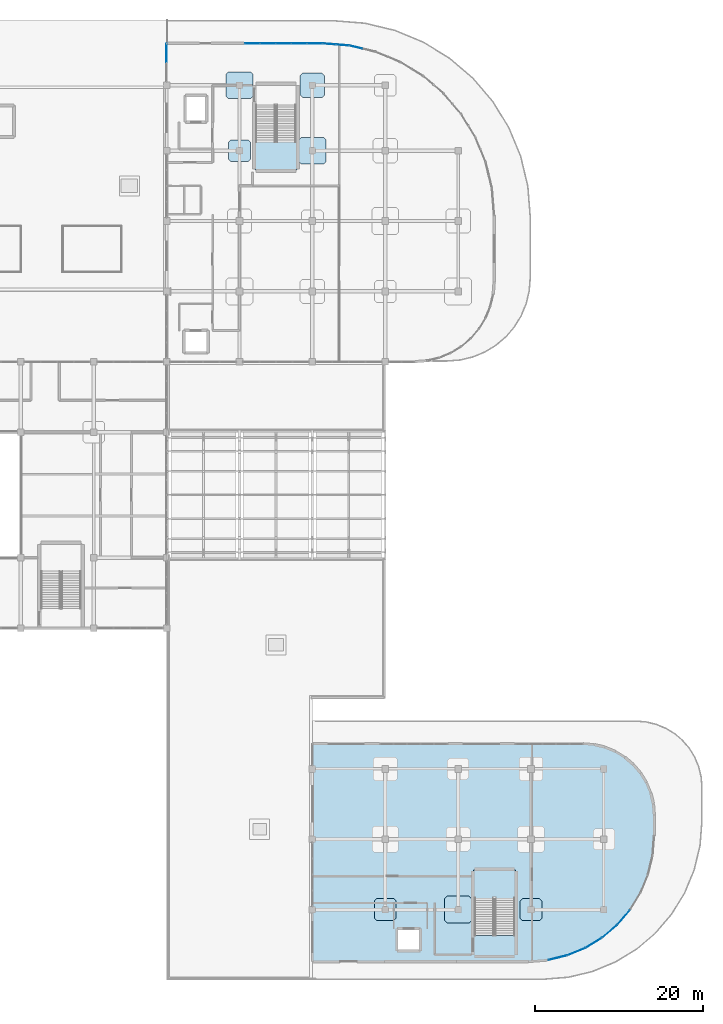
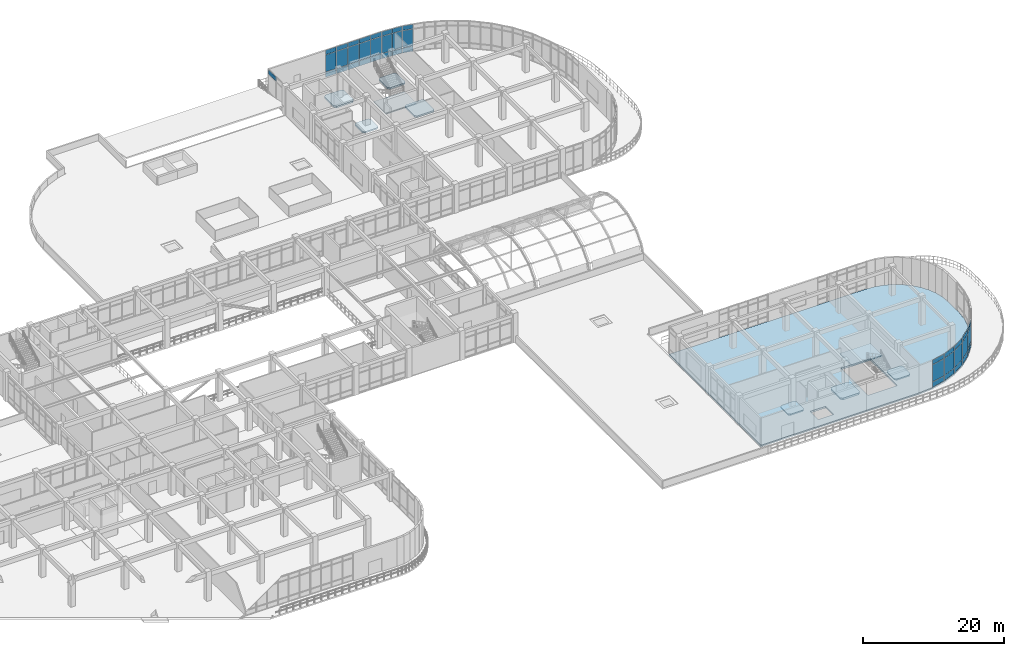
# One storey, part 100 of 124: 40 plates, 10 slabs, 11 elements without a shape of their own.
"""IFC4 building model written with IfcOpenShell, lengths in metres."""

from ifc_helpers import new_model, si_unit, derived_unit, direction, frame, origin, origin_2d, place, context, subcontext, project, spatial, polyline, rectangle, outline, extrude, material, layer, layer_set, type_object, element, aggregate, save


model = new_model("IFC4")

# Units and contexts
model_context = context("Model", 3, precision=1e-05, world=origin(), true_north=direction((0.0, 1.0)))
body_context = subcontext(model_context, "Body", "Model", "MODEL_VIEW")
ifc_project = project(units=[si_unit("LENGTHUNIT", "METRE"), si_unit("AREAUNIT", "SQUARE_METRE"), si_unit("VOLUMEUNIT", "CUBIC_METRE"), si_unit("PLANEANGLEUNIT", "RADIAN"), si_unit("MASSUNIT", "GRAM", prefix="KILO"), derived_unit("THERMALTRANSMITTANCEUNIT", [(si_unit("MASSUNIT", "GRAM", prefix="KILO"), 1), (si_unit("TIMEUNIT", "SECOND"), -3), (si_unit("THERMODYNAMICTEMPERATUREUNIT", "KELVIN"), -1)])], contexts=[model_context])

# Site, building, storey
site_placement = place(None, origin())
site = spatial("IfcSite", under=ifc_project, at=site_placement, CompositionType="ELEMENT")
building_placement = place(site_placement, origin())
building = spatial("IfcBuilding", under=site, at=building_placement, Name="Qinzheling Arcade Emporium", CompositionType="ELEMENT")
storey_placement = place(building_placement, frame((0.0, 0.0, 16.5)))
storey = spatial("IfcBuildingStorey", under=building, at=storey_placement, Name="L04", CompositionType="ELEMENT", Elevation=16.5)

# Slabs
ifc_material_1 = material(Name="Concrete C40", Category="concrete")
ifc_layer_1 = layer(ifc_material_1, 0.235107421875, Name="Concrete C40", Category="concrete")
ifc_layer_set_1 = layer_set([ifc_layer_1], Name="Concrete C40")
slab_type_1 = type_object("IfcSlabType", Name="Column Head Drop Panel 2600x2600x235 C40", PredefinedType="USERDEFINED", material=ifc_layer_set_1)
slab_1_placement = place(storey_placement, frame((0.0, 0.0, -0.5)))
element("IfcSlab", 1, at=slab_1_placement, inside=storey, type_object=slab_type_1, Name="Column Drop Panel DP-L04-14-M", ObjectType="DROP_PANEL", PredefinedType="USERDEFINED", context=body_context, shape_type="SweptSolid", body=[
    extrude(outline(polyline([(112.080078125, 97.699951171875), (114.1201171875, 97.699951171875), (114.39990234375, 97.97998046875), (114.39990234375, 100.02001953125), (114.1201171875, 100.300048828125), (112.080078125, 100.300048828125), (111.800048828125, 100.02001953125), (111.800048828125, 97.97998046875), (112.080078125, 97.699951171875)])), origin(), (0.0, 0.0, 1.0), 0.235107421875),
])
slab_2_placement = place(storey_placement, frame((0.0, 0.0, -0.530029296875)))
element("IfcSlab", 2, at=slab_2_placement, inside=storey, type_object=slab_type_1, Name="Column Drop Panel DP-L04-16-B", ObjectType="DROP_PANEL", PredefinedType="USERDEFINED", context=body_context, shape_type="SweptSolid", body=[
    extrude(outline(polyline([(129.47998046875, 7.10009765625), (131.52001953125, 7.10009765625), (131.800048828125, 7.3798828125), (131.800048828125, 9.419921875), (131.52001953125, 9.699951171875), (129.47998046875, 9.699951171875), (129.199951171875, 9.419921875), (129.199951171875, 7.3798828125), (129.47998046875, 7.10009765625)])), origin(), (0.0, 0.0, 1.0), 0.235107421875),
])
slab_3_placement = place(storey_placement, frame((0.0, 0.0, -0.530029296875)))
element("IfcSlab", 3, at=slab_3_placement, inside=storey, type_object=slab_type_1, Name="Column Drop Panel DP-L04-18-B", ObjectType="DROP_PANEL", PredefinedType="USERDEFINED", context=body_context, shape_type="SweptSolid", body=[
    extrude(outline(polyline([(146.8798828125, 7.10009765625), (148.919921875, 7.10009765625), (149.199951171875, 7.3798828125), (149.199951171875, 9.419921875), (148.919921875, 9.699951171875), (146.8798828125, 9.699951171875), (146.60009765625, 9.419921875), (146.60009765625, 7.3798828125), (146.8798828125, 7.10009765625)])), origin(), (0.0, 0.0, 1.0), 0.235107421875),
])
ifc_layer_2 = layer(ifc_material_1, 0.27001953125, Name="Concrete C40", Category="concrete")
ifc_layer_set_2 = layer_set([ifc_layer_2], Name="Concrete C40")
slab_type_2 = type_object("IfcSlabType", Name="Column Head Drop Panel 2900x2900x270 C40", PredefinedType="USERDEFINED", material=ifc_layer_set_2)
slab_4_placement = place(storey_placement, frame((0.0, 0.0, -0.534912109375)))
element("IfcSlab", 4, at=slab_4_placement, inside=storey, type_object=slab_type_2, Name="Column Drop Panel DP-L04-15-N", ObjectType="DROP_PANEL", PredefinedType="USERDEFINED", context=body_context, shape_type="SweptSolid", body=[
    extrude(outline(polyline([(120.6298828125, 105.35009765625), (122.969970703125, 105.35009765625), (123.25, 105.6298828125), (123.25, 107.969970703125), (122.969970703125, 108.25), (120.6298828125, 108.25), (120.35009765625, 107.969970703125), (120.35009765625, 105.6298828125), (120.6298828125, 105.35009765625)])), origin(), (0.0, 0.0, 1.0), 0.27001953125),
])
ifc_layer_3 = layer(ifc_material_1, 0.300048828125, Name="Concrete C40", Category="concrete")
ifc_layer_set_3 = layer_set([ifc_layer_3], Name="Concrete C40")
slab_type_3 = type_object("IfcSlabType", Name="Column Head Drop Panel 3200x3200x300 C40", PredefinedType="USERDEFINED", material=ifc_layer_set_3)
slab_5_placement = place(storey_placement, frame((0.0, 0.0, -0.56494140625)))
element("IfcSlab", 5, at=slab_5_placement, inside=storey, type_object=slab_type_3, Name="Column Drop Panel DP-L04-14-N", ObjectType="DROP_PANEL", PredefinedType="USERDEFINED", context=body_context, shape_type="SweptSolid", body=[
    extrude(outline(polyline([(111.780029296875, 105.199951171875), (114.419921875, 105.199951171875), (114.699951171875, 105.47998046875), (114.699951171875, 108.1201171875), (114.419921875, 108.39990234375), (111.780029296875, 108.39990234375), (111.5, 108.1201171875), (111.5, 105.47998046875), (111.780029296875, 105.199951171875)])), origin(), (0.0, 0.0, 1.0), 0.300048828125),
])
slab_6_placement = place(storey_placement, frame((0.0, 0.0, -0.56494140625)))
element("IfcSlab", 6, at=slab_6_placement, inside=storey, type_object=slab_type_3, Name="Column Drop Panel DP-L04-15-M", ObjectType="DROP_PANEL", PredefinedType="USERDEFINED", context=body_context, shape_type="SweptSolid", body=[
    extrude(outline(polyline([(120.47998046875, 97.39990234375), (123.1201171875, 97.39990234375), (123.39990234375, 97.679931640625), (123.39990234375, 100.320068359375), (123.1201171875, 100.60009765625), (120.47998046875, 100.60009765625), (120.199951171875, 100.320068359375), (120.199951171875, 97.679931640625), (120.47998046875, 97.39990234375)])), origin(), (0.0, 0.0, 1.0), 0.300048828125),
])
slab_7_placement = place(storey_placement, frame((0.0, 0.0, -0.594970703125)))
element("IfcSlab", 7, at=slab_7_placement, inside=storey, type_object=slab_type_3, Name="Column Drop Panel DP-L04-17-B", ObjectType="DROP_PANEL", PredefinedType="USERDEFINED", context=body_context, shape_type="SweptSolid", body=[
    extrude(outline(polyline([(137.8798828125, 6.800048828125), (140.52001953125, 6.800048828125), (140.800048828125, 7.080078125), (140.800048828125, 9.719970703125), (140.52001953125, 10.0), (137.8798828125, 10.0), (137.60009765625, 9.719970703125), (137.60009765625, 7.080078125), (137.8798828125, 6.800048828125)])), origin(), (0.0, 0.0, 1.0), 0.300048828125),
])
ifc_layer_4 = layer(ifc_material_1, 0.294921875, Name="Concrete C40", Category="concrete")
ifc_layer_set_4 = layer_set([ifc_layer_4], Name="Concrete C40")
slab_type_4 = type_object("IfcSlabType", Name="Food Hall Acoustic Flat Slab 295 C40", PredefinedType="FLOOR", material=ifc_layer_set_4)
slab_8_placement = place(storey_placement, frame((0.0, 0.0, -0.294921875)))
element("IfcSlab", 8, at=slab_8_placement, inside=storey, type_object=slab_type_4, Name="Floor Slab SLB-L04-V4", PredefinedType="FLOOR", context=body_context, shape_type="SweptSolid", body=[
    extrude(outline(polyline([(121.800048828125, 28.199951171875), (121.800048828125, 2.199951171875), (147.60009765625, 2.199951171875), (149.947021484375, 2.385009765625), (152.235107421875, 2.93408203125), (154.409912109375, 3.8349609375), (156.4169921875, 5.06494140625), (158.20703125, 6.593017578125), (159.735107421875, 8.383056640625), (160.965087890625, 10.389892578125), (161.865966796875, 12.56494140625), (162.4150390625, 14.85302734375), (162.60009765625, 17.199951171875), (162.60009765625, 19.699951171875), (162.4951171875, 21.030029296875), (162.18408203125, 22.326904296875), (161.674072265625, 23.55908203125), (160.97705078125, 24.696044921875), (160.110107421875, 25.7099609375), (159.095947265625, 26.576904296875), (157.958984375, 27.27392578125), (156.72705078125, 27.783935546875), (155.429931640625, 28.094970703125), (154.10009765625, 28.199951171875), (121.800048828125, 28.199951171875)]), holes=[polyline([(145.945068359375, 5.324951171875), (141.155029296875, 5.324951171875), (141.155029296875, 13.0), (145.945068359375, 13.0), (145.945068359375, 5.324951171875)]), polyline([(134.550048828125, 3.64990234375), (132.050048828125, 3.64990234375), (132.050048828125, 5.949951171875), (134.550048828125, 5.949951171875), (134.550048828125, 3.64990234375)])]), origin(), (0.0, 0.0, 1.0), 0.294921875),
])

# Curtain wall, plates
ifc_material_2 = material(Name="Anodised aluminium and solar-control double glazing", Category="aluminium")
ifc_layer_5 = layer(ifc_material_2, 0.159912109375, Name="Anodised aluminium and solar-control double glazing", Category="aluminium")
ifc_layer_set_5 = layer_set([ifc_layer_5], Name="Anodised aluminium and solar-control double glazing")
curtain_wall_type_1 = type_object("IfcCurtainWallType", Name="Curved Ribbon Sales Curtain Wall", PredefinedType="NOTDEFINED", material=ifc_layer_set_5)
curtain_wall_1_placement = place(storey_placement, origin())
curtain_wall_1 = element("IfcCurtainWall", 9, at=curtain_wall_1_placement, inside=storey, type_object=curtain_wall_type_1, Name="Curtain Wall CW-L04-212", PredefinedType="NOTDEFINED")
ifc_material_3 = material(Name="Laminated solar-control double glazing", Category="glass")
ifc_layer_6 = layer(ifc_material_3, 0.029052734375, Name="Laminated solar-control double glazing", Category="glass")
ifc_layer_set_6 = layer_set([ifc_layer_6], Name="Laminated solar-control double glazing")
plate_type_1 = type_object("IfcPlateType", Name="Low-E Double Glazed Curtain Panel 29mm", PredefinedType="CURTAIN_PANEL", material=ifc_layer_set_6)
plate_1_placement = place(storey_placement, frame((158.970947265625, 7.488037109375, 0.06005859375), z_axis=(0.0, 0.0, 1.0), x_axis=(-0.649250390185, -0.760574737185, 0.0)))
plate_1 = element("IfcPlate", 10, at=plate_1_placement, type_object=plate_type_1, Name="CW02 panel 1.1", PredefinedType="CURTAIN_PANEL", context=body_context, shape_type="SweptSolid", body=[
    extrude(rectangle(XDim=2.2333984375, YDim=0.029052734375, at=origin_2d()), origin(), (0.0, 0.0, 1.0), 0.860107421875),
])
plate_2_placement = place(storey_placement, frame((158.970947265625, 7.488037109375, 0.97998046875), z_axis=(0.0, 0.0, 1.0), x_axis=(-0.649250390185, -0.760574737185, 0.0)))
plate_2 = element("IfcPlate", 11, at=plate_2_placement, type_object=plate_type_1, Name="CW02 panel 1.2", PredefinedType="CURTAIN_PANEL", context=body_context, shape_type="SweptSolid", body=[
    extrude(rectangle(XDim=2.2333984375, YDim=0.029052734375, at=origin_2d()), origin(), (0.0, 0.0, 1.0), 2.929931640625),
])
plate_3_placement = place(storey_placement, frame((158.970947265625, 7.488037109375, 3.97021484375), z_axis=(0.0, 0.0, 1.0), x_axis=(-0.649250390185, -0.760574737185, 0.0)))
plate_3 = element("IfcPlate", 12, at=plate_3_placement, type_object=plate_type_1, Name="CW02 panel 1.3", PredefinedType="CURTAIN_PANEL", context=body_context, shape_type="SweptSolid", body=[
    extrude(rectangle(XDim=2.2333984375, YDim=0.029052734375, at=origin_2d()), origin(), (0.0, 0.0, 1.0), 0.760009765625),
])
aggregate(curtain_wall_1, [plate_1, plate_2, plate_3])

curtain_wall_2_placement = place(storey_placement, origin())
curtain_wall_2 = element("IfcCurtainWall", 13, at=curtain_wall_2_placement, inside=storey, type_object=curtain_wall_type_1, Name="Curtain Wall CW-L04-213", PredefinedType="NOTDEFINED")
ifc_layer_7 = layer(ifc_material_3, 0.030029296875, Name="Laminated solar-control double glazing", Category="glass")
ifc_layer_set_7 = layer_set([ifc_layer_7], Name="Laminated solar-control double glazing")
plate_type_2 = type_object("IfcPlateType", Name="Low-E Double Glazed Curtain Panel 30mm", PredefinedType="CURTAIN_PANEL", material=ifc_layer_set_7)
plate_4_placement = place(storey_placement, frame((157.31201171875, 5.8291015625, 0.06005859375), z_axis=(0.0, 0.0, 1.0), x_axis=(-0.760574737185, -0.649250390185, 0.0)))
plate_4 = element("IfcPlate", 14, at=plate_4_placement, type_object=plate_type_2, Name="CW02 panel 1.1", PredefinedType="CURTAIN_PANEL", context=body_context, shape_type="SweptSolid", body=[
    extrude(rectangle(XDim=2.2333984375, YDim=0.030029296875, at=origin_2d()), origin(), (0.0, 0.0, 1.0), 0.860107421875),
])
plate_5_placement = place(storey_placement, frame((157.31201171875, 5.8291015625, 0.97998046875), z_axis=(0.0, 0.0, 1.0), x_axis=(-0.760574737185, -0.649250390185, 0.0)))
plate_5 = element("IfcPlate", 15, at=plate_5_placement, type_object=plate_type_2, Name="CW02 panel 1.2", PredefinedType="CURTAIN_PANEL", context=body_context, shape_type="SweptSolid", body=[
    extrude(rectangle(XDim=2.2333984375, YDim=0.030029296875, at=origin_2d()), origin(), (0.0, 0.0, 1.0), 2.929931640625),
])
plate_6_placement = place(storey_placement, frame((157.31201171875, 5.8291015625, 3.97021484375), z_axis=(0.0, 0.0, 1.0), x_axis=(-0.760574737185, -0.649250390185, 0.0)))
plate_6 = element("IfcPlate", 16, at=plate_6_placement, type_object=plate_type_2, Name="CW02 panel 1.3", PredefinedType="CURTAIN_PANEL", context=body_context, shape_type="SweptSolid", body=[
    extrude(rectangle(XDim=2.2333984375, YDim=0.030029296875, at=origin_2d()), origin(), (0.0, 0.0, 1.0), 0.760009765625),
])
aggregate(curtain_wall_2, [plate_4, plate_5, plate_6])

curtain_wall_3_placement = place(storey_placement, origin())
curtain_wall_3 = element("IfcCurtainWall", 17, at=curtain_wall_3_placement, inside=storey, type_object=curtain_wall_type_1, Name="Curtain Wall CW-L04-214", PredefinedType="NOTDEFINED")
ifc_layer_8 = layer(ifc_material_3, 0.031005859375, Name="Laminated solar-control double glazing", Category="glass")
ifc_layer_set_8 = layer_set([ifc_layer_8], Name="Laminated solar-control double glazing")
plate_type_3 = type_object("IfcPlateType", Name="Low-E Double Glazed Curtain Panel 31mm", PredefinedType="CURTAIN_PANEL", material=ifc_layer_set_8)
plate_7_placement = place(storey_placement, frame((155.41357421875, 4.449951171875, 0.06005859375), z_axis=(0.0, 0.0, 1.0), x_axis=(-0.852619568756, -0.522532172191, 0.0)))
plate_7 = element("IfcPlate", 18, at=plate_7_placement, type_object=plate_type_3, Name="CW02 panel 1.1", PredefinedType="CURTAIN_PANEL", context=body_context, shape_type="SweptSolid", body=[
    extrude(rectangle(XDim=2.23388671875, YDim=0.031005859375, at=origin_2d()), origin(), (0.0, 0.0, 1.0), 0.860107421875),
])
plate_8_placement = place(storey_placement, frame((155.41357421875, 4.449951171875, 0.97998046875), z_axis=(0.0, 0.0, 1.0), x_axis=(-0.852619568756, -0.522532172191, 0.0)))
plate_8 = element("IfcPlate", 19, at=plate_8_placement, type_object=plate_type_3, Name="CW02 panel 1.2", PredefinedType="CURTAIN_PANEL", context=body_context, shape_type="SweptSolid", body=[
    extrude(rectangle(XDim=2.23388671875, YDim=0.031005859375, at=origin_2d()), origin(), (0.0, 0.0, 1.0), 2.929931640625),
])
plate_9_placement = place(storey_placement, frame((155.41357421875, 4.449951171875, 3.97021484375), z_axis=(0.0, 0.0, 1.0), x_axis=(-0.852619568756, -0.522532172191, 0.0)))
plate_9 = element("IfcPlate", 20, at=plate_9_placement, type_object=plate_type_3, Name="CW02 panel 1.3", PredefinedType="CURTAIN_PANEL", context=body_context, shape_type="SweptSolid", body=[
    extrude(rectangle(XDim=2.23388671875, YDim=0.031005859375, at=origin_2d()), origin(), (0.0, 0.0, 1.0), 0.760009765625),
])
aggregate(curtain_wall_3, [plate_7, plate_8, plate_9])

# Curtain wall, plate
ifc_layer_9 = layer(ifc_material_2, 0.159912109375, Name="Anodised aluminium and solar-control double glazing", Category="aluminium")
ifc_layer_set_9 = layer_set([ifc_layer_9], Name="Anodised aluminium and solar-control double glazing")
curtain_wall_type_2 = type_object("IfcCurtainWallType", Name="Arcade Portal Glazed Curtain Wall", PredefinedType="NOTDEFINED", material=ifc_layer_set_9)
curtain_wall_4_placement = place(storey_placement, origin())
curtain_wall_4 = element("IfcCurtainWall", 21, at=curtain_wall_4_placement, inside=storey, type_object=curtain_wall_type_2, Name="Curtain Wall CW-L04-262", PredefinedType="NOTDEFINED")
plate_10_placement = place(storey_placement, frame((104.39990234375, 110.635498046875, 3.97021484375), z_axis=(0.0, 0.0, 1.0), x_axis=(0.0, 1.0, 0.0)))
plate_10 = element("IfcPlate", 22, at=plate_10_placement, type_object=plate_type_3, Name="CW05 panel 2.3", PredefinedType="CURTAIN_PANEL", context=body_context, shape_type="SweptSolid", body=[
    extrude(rectangle(XDim=2.208984375, YDim=0.031005859375, at=origin_2d()), origin(), (0.0, 0.0, 1.0), 0.760009765625),
])
aggregate(curtain_wall_4, [plate_10])

# Curtain wall, plates
curtain_wall_5_placement = place(storey_placement, origin())
curtain_wall_5 = element("IfcCurtainWall", 23, at=curtain_wall_5_placement, inside=storey, type_object=curtain_wall_type_1, Name="Curtain Wall CW-L04-215", PredefinedType="NOTDEFINED")
ifc_layer_10 = layer(ifc_material_3, 0.031982421875, Name="Laminated solar-control double glazing", Category="glass")
ifc_layer_set_10 = layer_set([ifc_layer_10], Name="Laminated solar-control double glazing")
plate_type_4 = type_object("IfcPlateType", Name="Low-E Double Glazed Curtain Panel 32mm", PredefinedType="CURTAIN_PANEL", material=ifc_layer_set_10)
plate_11_placement = place(storey_placement, frame((153.322509765625, 3.384521484375, 0.06005859375), z_axis=(0.0, 0.0, 1.0), x_axis=(-0.923866691535, -0.382714431752, 0.0)))
plate_11 = element("IfcPlate", 24, at=plate_11_placement, type_object=plate_type_4, Name="CW02 panel 1.1", PredefinedType="CURTAIN_PANEL", context=body_context, shape_type="SweptSolid", body=[
    extrude(rectangle(XDim=2.234130859375, YDim=0.031982421875, at=origin_2d()), origin(), (0.0, 0.0, 1.0), 0.860107421875),
])
plate_12_placement = place(storey_placement, frame((153.322509765625, 3.384521484375, 0.97998046875), z_axis=(0.0, 0.0, 1.0), x_axis=(-0.923866691535, -0.382714431752, 0.0)))
plate_12 = element("IfcPlate", 25, at=plate_12_placement, type_object=plate_type_4, Name="CW02 panel 1.2", PredefinedType="CURTAIN_PANEL", context=body_context, shape_type="SweptSolid", body=[
    extrude(rectangle(XDim=2.234130859375, YDim=0.031982421875, at=origin_2d()), origin(), (0.0, 0.0, 1.0), 2.929931640625),
])
plate_13_placement = place(storey_placement, frame((153.322509765625, 3.384521484375, 3.97021484375), z_axis=(0.0, 0.0, 1.0), x_axis=(-0.923866691535, -0.382714431752, 0.0)))
plate_13 = element("IfcPlate", 26, at=plate_13_placement, type_object=plate_type_4, Name="CW02 panel 1.3", PredefinedType="CURTAIN_PANEL", context=body_context, shape_type="SweptSolid", body=[
    extrude(rectangle(XDim=2.234130859375, YDim=0.031982421875, at=origin_2d()), origin(), (0.0, 0.0, 1.0), 0.760009765625),
])
aggregate(curtain_wall_5, [plate_11, plate_12, plate_13])

curtain_wall_6_placement = place(storey_placement, origin())
curtain_wall_6 = element("IfcCurtainWall", 27, at=curtain_wall_6_placement, inside=storey, type_object=curtain_wall_type_2, Name="Curtain Wall CW-L04-263", PredefinedType="NOTDEFINED")
plate_14_placement = place(storey_placement, frame((114.646728515625, 111.800048828125, 0.06005859375), z_axis=(0.0, 0.0, 1.0), x_axis=(1.0, 0.0, 0.0)))
plate_14 = element("IfcPlate", 28, at=plate_14_placement, type_object=plate_type_4, Name="CW05 panel 1.1", PredefinedType="CURTAIN_PANEL", context=body_context, shape_type="SweptSolid", body=[
    extrude(rectangle(XDim=1.76953125, YDim=0.031982421875, at=origin_2d()), origin(), (0.0, 0.0, 1.0), 0.860107421875),
])
plate_15_placement = place(storey_placement, frame((114.646728515625, 111.800048828125, 0.97998046875), z_axis=(0.0, 0.0, 1.0), x_axis=(1.0, 0.0, 0.0)))
plate_15 = element("IfcPlate", 29, at=plate_15_placement, type_object=plate_type_4, Name="CW05 panel 1.2", PredefinedType="CURTAIN_PANEL", context=body_context, shape_type="SweptSolid", body=[
    extrude(rectangle(XDim=1.76953125, YDim=0.031982421875, at=origin_2d()), origin(), (0.0, 0.0, 1.0), 2.929931640625),
])
plate_16_placement = place(storey_placement, frame((114.646728515625, 111.800048828125, 3.97021484375), z_axis=(0.0, 0.0, 1.0), x_axis=(1.0, 0.0, 0.0)))
plate_16 = element("IfcPlate", 30, at=plate_16_placement, type_object=plate_type_4, Name="CW05 panel 1.3", PredefinedType="CURTAIN_PANEL", context=body_context, shape_type="SweptSolid", body=[
    extrude(rectangle(XDim=1.76953125, YDim=0.031982421875, at=origin_2d()), origin(), (0.0, 0.0, 1.0), 0.760009765625),
])
plate_17_placement = place(storey_placement, frame((116.491455078125, 111.800048828125, 0.06005859375), z_axis=(0.0, 0.0, 1.0), x_axis=(1.0, 0.0, 0.0)))
plate_17 = element("IfcPlate", 31, at=plate_17_placement, type_object=plate_type_4, Name="CW05 panel 2.1", PredefinedType="CURTAIN_PANEL", context=body_context, shape_type="SweptSolid", body=[
    extrude(rectangle(XDim=1.799560546875, YDim=0.031982421875, at=origin_2d()), origin(), (0.0, 0.0, 1.0), 0.860107421875),
])
plate_18_placement = place(storey_placement, frame((116.491455078125, 111.800048828125, 0.97998046875), z_axis=(0.0, 0.0, 1.0), x_axis=(1.0, 0.0, 0.0)))
plate_18 = element("IfcPlate", 32, at=plate_18_placement, type_object=plate_type_4, Name="CW05 panel 2.2", PredefinedType="CURTAIN_PANEL", context=body_context, shape_type="SweptSolid", body=[
    extrude(rectangle(XDim=1.799560546875, YDim=0.031982421875, at=origin_2d()), origin(), (0.0, 0.0, 1.0), 2.929931640625),
])
plate_19_placement = place(storey_placement, frame((116.491455078125, 111.800048828125, 3.97021484375), z_axis=(0.0, 0.0, 1.0), x_axis=(1.0, 0.0, 0.0)))
plate_19 = element("IfcPlate", 33, at=plate_19_placement, type_object=plate_type_4, Name="CW05 panel 2.3", PredefinedType="CURTAIN_PANEL", context=body_context, shape_type="SweptSolid", body=[
    extrude(rectangle(XDim=1.799560546875, YDim=0.031982421875, at=origin_2d()), origin(), (0.0, 0.0, 1.0), 0.760009765625),
])
plate_20_placement = place(storey_placement, frame((118.35107421875, 111.800048828125, 0.06005859375), z_axis=(0.0, 0.0, 1.0), x_axis=(1.0, 0.0, 0.0)))
plate_20 = element("IfcPlate", 34, at=plate_20_placement, type_object=plate_type_4, Name="CW05 panel 3.1", PredefinedType="CURTAIN_PANEL", context=body_context, shape_type="SweptSolid", body=[
    extrude(rectangle(XDim=1.799560546875, YDim=0.031982421875, at=origin_2d()), origin(), (0.0, 0.0, 1.0), 0.860107421875),
])
plate_21_placement = place(storey_placement, frame((118.35107421875, 111.800048828125, 0.97998046875), z_axis=(0.0, 0.0, 1.0), x_axis=(1.0, 0.0, 0.0)))
plate_21 = element("IfcPlate", 35, at=plate_21_placement, type_object=plate_type_4, Name="CW05 panel 3.2", PredefinedType="CURTAIN_PANEL", context=body_context, shape_type="SweptSolid", body=[
    extrude(rectangle(XDim=1.799560546875, YDim=0.031982421875, at=origin_2d()), origin(), (0.0, 0.0, 1.0), 2.929931640625),
])
plate_22_placement = place(storey_placement, frame((118.35107421875, 111.800048828125, 3.97021484375), z_axis=(0.0, 0.0, 1.0), x_axis=(1.0, 0.0, 0.0)))
plate_22 = element("IfcPlate", 36, at=plate_22_placement, type_object=plate_type_4, Name="CW05 panel 3.3", PredefinedType="CURTAIN_PANEL", context=body_context, shape_type="SweptSolid", body=[
    extrude(rectangle(XDim=1.799560546875, YDim=0.031982421875, at=origin_2d()), origin(), (0.0, 0.0, 1.0), 0.760009765625),
])
plate_23_placement = place(storey_placement, frame((120.210693359375, 111.800048828125, 0.06005859375), z_axis=(0.0, 0.0, 1.0), x_axis=(1.0, 0.0, 0.0)))
plate_23 = element("IfcPlate", 37, at=plate_23_placement, type_object=plate_type_4, Name="CW05 panel 4.1", PredefinedType="CURTAIN_PANEL", context=body_context, shape_type="SweptSolid", body=[
    extrude(rectangle(XDim=1.799560546875, YDim=0.031982421875, at=origin_2d()), origin(), (0.0, 0.0, 1.0), 0.860107421875),
])
plate_24_placement = place(storey_placement, frame((120.210693359375, 111.800048828125, 0.97998046875), z_axis=(0.0, 0.0, 1.0), x_axis=(1.0, 0.0, 0.0)))
plate_24 = element("IfcPlate", 38, at=plate_24_placement, type_object=plate_type_4, Name="CW05 panel 4.2", PredefinedType="CURTAIN_PANEL", context=body_context, shape_type="SweptSolid", body=[
    extrude(rectangle(XDim=1.799560546875, YDim=0.031982421875, at=origin_2d()), origin(), (0.0, 0.0, 1.0), 2.929931640625),
])
plate_25_placement = place(storey_placement, frame((120.210693359375, 111.800048828125, 3.97021484375), z_axis=(0.0, 0.0, 1.0), x_axis=(1.0, 0.0, 0.0)))
plate_25 = element("IfcPlate", 39, at=plate_25_placement, type_object=plate_type_4, Name="CW05 panel 4.3", PredefinedType="CURTAIN_PANEL", context=body_context, shape_type="SweptSolid", body=[
    extrude(rectangle(XDim=1.799560546875, YDim=0.031982421875, at=origin_2d()), origin(), (0.0, 0.0, 1.0), 0.760009765625),
])
plate_26_placement = place(storey_placement, frame((122.05517578125, 111.800048828125, 0.06005859375), z_axis=(0.0, 0.0, 1.0), x_axis=(1.0, 0.0, 0.0)))
plate_26 = element("IfcPlate", 40, at=plate_26_placement, type_object=plate_type_4, Name="CW05 panel 5.1", PredefinedType="CURTAIN_PANEL", context=body_context, shape_type="SweptSolid", body=[
    extrude(rectangle(XDim=1.76953125, YDim=0.031982421875, at=origin_2d()), origin(), (0.0, 0.0, 1.0), 0.860107421875),
])
plate_27_placement = place(storey_placement, frame((122.05517578125, 111.800048828125, 0.97998046875), z_axis=(0.0, 0.0, 1.0), x_axis=(1.0, 0.0, 0.0)))
plate_27 = element("IfcPlate", 41, at=plate_27_placement, type_object=plate_type_4, Name="CW05 panel 5.2", PredefinedType="CURTAIN_PANEL", context=body_context, shape_type="SweptSolid", body=[
    extrude(rectangle(XDim=1.76953125, YDim=0.031982421875, at=origin_2d()), origin(), (0.0, 0.0, 1.0), 2.929931640625),
])
plate_28_placement = place(storey_placement, frame((122.05517578125, 111.800048828125, 3.97021484375), z_axis=(0.0, 0.0, 1.0), x_axis=(1.0, 0.0, 0.0)))
plate_28 = element("IfcPlate", 42, at=plate_28_placement, type_object=plate_type_4, Name="CW05 panel 5.3", PredefinedType="CURTAIN_PANEL", context=body_context, shape_type="SweptSolid", body=[
    extrude(rectangle(XDim=1.76953125, YDim=0.031982421875, at=origin_2d()), origin(), (0.0, 0.0, 1.0), 0.760009765625),
])
aggregate(curtain_wall_6, [plate_14, plate_15, plate_16, plate_17, plate_18, plate_19, plate_20, plate_21, plate_22, plate_23, plate_24, plate_25, plate_26, plate_27, plate_28])

curtain_wall_7_placement = place(storey_placement, origin())
curtain_wall_7 = element("IfcCurtainWall", 43, at=curtain_wall_7_placement, inside=storey, type_object=curtain_wall_type_1, Name="Curtain Wall CW-L04-216", PredefinedType="NOTDEFINED")
ifc_layer_11 = layer(ifc_material_3, 0.033935546875, Name="Laminated solar-control double glazing", Category="glass")
ifc_layer_set_11 = layer_set([ifc_layer_11], Name="Laminated solar-control double glazing")
plate_type_5 = type_object("IfcPlateType", Name="Low-E Double Glazed Curtain Panel 34mm", PredefinedType="CURTAIN_PANEL", material=ifc_layer_set_11)
plate_29_placement = place(storey_placement, frame((151.091064453125, 2.659423828125, 0.06005859375), z_axis=(0.0, 0.0, 1.0), x_axis=(-0.972398874145, -0.233324729854, 0.0)))
plate_29 = element("IfcPlate", 44, at=plate_29_placement, type_object=plate_type_5, Name="CW02 panel 1.1", PredefinedType="CURTAIN_PANEL", context=body_context, shape_type="SweptSolid", body=[
    extrude(rectangle(XDim=2.23291015625, YDim=0.033935546875, at=origin_2d()), origin(), (0.0, 0.0, 1.0), 0.860107421875),
])
plate_30_placement = place(storey_placement, frame((151.091064453125, 2.659423828125, 0.97998046875), z_axis=(0.0, 0.0, 1.0), x_axis=(-0.972398874145, -0.233324729854, 0.0)))
plate_30 = element("IfcPlate", 45, at=plate_30_placement, type_object=plate_type_5, Name="CW02 panel 1.2", PredefinedType="CURTAIN_PANEL", context=body_context, shape_type="SweptSolid", body=[
    extrude(rectangle(XDim=2.23291015625, YDim=0.033935546875, at=origin_2d()), origin(), (0.0, 0.0, 1.0), 2.929931640625),
])
plate_31_placement = place(storey_placement, frame((151.091064453125, 2.659423828125, 3.97021484375), z_axis=(0.0, 0.0, 1.0), x_axis=(-0.972398874145, -0.233324729854, 0.0)))
plate_31 = element("IfcPlate", 46, at=plate_31_placement, type_object=plate_type_5, Name="CW02 panel 1.3", PredefinedType="CURTAIN_PANEL", context=body_context, shape_type="SweptSolid", body=[
    extrude(rectangle(XDim=2.23291015625, YDim=0.033935546875, at=origin_2d()), origin(), (0.0, 0.0, 1.0), 0.760009765625),
])
aggregate(curtain_wall_7, [plate_29, plate_30, plate_31])

curtain_wall_8_placement = place(storey_placement, origin())
curtain_wall_8 = element("IfcCurtainWall", 47, at=curtain_wall_8_placement, inside=storey, type_object=curtain_wall_type_1, Name="Curtain Wall CW-L04-264", PredefinedType="NOTDEFINED")
plate_32_placement = place(storey_placement, frame((123.816650390625, 111.73583984375, 0.06005859375), z_axis=(0.0, 0.0, 1.0), x_axis=(0.996926963876, -0.078336637005, 0.0)))
plate_32 = element("IfcPlate", 48, at=plate_32_placement, type_object=plate_type_5, Name="CW02 panel 1.1", PredefinedType="CURTAIN_PANEL", context=body_context, shape_type="SweptSolid", body=[
    extrude(rectangle(XDim=1.5185546875, YDim=0.033935546875, at=origin_2d()), origin(), (0.0, 0.0, 1.0), 0.860107421875),
])
plate_33_placement = place(storey_placement, frame((123.816650390625, 111.73583984375, 0.97998046875), z_axis=(0.0, 0.0, 1.0), x_axis=(0.996926963876, -0.078336637005, 0.0)))
plate_33 = element("IfcPlate", 49, at=plate_33_placement, type_object=plate_type_5, Name="CW02 panel 1.2", PredefinedType="CURTAIN_PANEL", context=body_context, shape_type="SweptSolid", body=[
    extrude(rectangle(XDim=1.5185546875, YDim=0.033935546875, at=origin_2d()), origin(), (0.0, 0.0, 1.0), 2.929931640625),
])
plate_34_placement = place(storey_placement, frame((123.816650390625, 111.73583984375, 3.97021484375), z_axis=(0.0, 0.0, 1.0), x_axis=(0.996926963876, -0.078336637005, 0.0)))
plate_34 = element("IfcPlate", 50, at=plate_34_placement, type_object=plate_type_5, Name="CW02 panel 1.3", PredefinedType="CURTAIN_PANEL", context=body_context, shape_type="SweptSolid", body=[
    extrude(rectangle(XDim=1.5185546875, YDim=0.033935546875, at=origin_2d()), origin(), (0.0, 0.0, 1.0), 0.760009765625),
])
plate_35_placement = place(storey_placement, frame((125.390380859375, 111.612060546875, 0.06005859375), z_axis=(0.0, 0.0, 1.0), x_axis=(0.996926963876, -0.078336637005, 0.0)))
plate_35 = element("IfcPlate", 51, at=plate_35_placement, type_object=plate_type_5, Name="CW02 panel 2.1", PredefinedType="CURTAIN_PANEL", context=body_context, shape_type="SweptSolid", body=[
    extrude(rectangle(XDim=1.5185546875, YDim=0.033935546875, at=origin_2d()), origin(), (0.0, 0.0, 1.0), 0.860107421875),
])
plate_36_placement = place(storey_placement, frame((125.390380859375, 111.612060546875, 0.97998046875), z_axis=(0.0, 0.0, 1.0), x_axis=(0.996926963876, -0.078336637005, 0.0)))
plate_36 = element("IfcPlate", 52, at=plate_36_placement, type_object=plate_type_5, Name="CW02 panel 2.2", PredefinedType="CURTAIN_PANEL", context=body_context, shape_type="SweptSolid", body=[
    extrude(rectangle(XDim=1.5185546875, YDim=0.033935546875, at=origin_2d()), origin(), (0.0, 0.0, 1.0), 2.929931640625),
])
plate_37_placement = place(storey_placement, frame((125.390380859375, 111.612060546875, 3.97021484375), z_axis=(0.0, 0.0, 1.0), x_axis=(0.996926963876, -0.078336637005, 0.0)))
plate_37 = element("IfcPlate", 53, at=plate_37_placement, type_object=plate_type_5, Name="CW02 panel 2.3", PredefinedType="CURTAIN_PANEL", context=body_context, shape_type="SweptSolid", body=[
    extrude(rectangle(XDim=1.5185546875, YDim=0.033935546875, at=origin_2d()), origin(), (0.0, 0.0, 1.0), 0.760009765625),
])
aggregate(curtain_wall_8, [plate_32, plate_33, plate_34, plate_35, plate_36, plate_37])

curtain_wall_9_placement = place(storey_placement, origin())
curtain_wall_9 = element("IfcCurtainWall", 54, at=curtain_wall_9_placement, inside=storey, type_object=curtain_wall_type_1, Name="Curtain Wall CW-L04-265", PredefinedType="NOTDEFINED")
ifc_layer_12 = layer(ifc_material_3, 0.035888671875, Name="Laminated solar-control double glazing", Category="glass")
ifc_layer_set_12 = layer_set([ifc_layer_12], Name="Laminated solar-control double glazing")
plate_type_6 = type_object("IfcPlateType", Name="Low-E Double Glazed Curtain Panel 36mm", PredefinedType="CURTAIN_PANEL", material=ifc_layer_set_12)
plate_38_placement = place(storey_placement, frame((127.003662109375, 111.356689453125, 0.06005859375), z_axis=(0.0, 0.0, 1.0), x_axis=(0.972367546477, -0.233455251725, 0.0)))
plate_38 = element("IfcPlate", 55, at=plate_38_placement, type_object=plate_type_6, Name="CW02 panel 1.1", PredefinedType="CURTAIN_PANEL", context=body_context, shape_type="SweptSolid", body=[
    extrude(rectangle(XDim=1.5185546875, YDim=0.035888671875, at=origin_2d()), origin(), (0.0, 0.0, 1.0), 0.860107421875),
])
plate_39_placement = place(storey_placement, frame((127.003662109375, 111.356689453125, 0.97998046875), z_axis=(0.0, 0.0, 1.0), x_axis=(0.972367546477, -0.233455251725, 0.0)))
plate_39 = element("IfcPlate", 56, at=plate_39_placement, type_object=plate_type_6, Name="CW02 panel 1.2", PredefinedType="CURTAIN_PANEL", context=body_context, shape_type="SweptSolid", body=[
    extrude(rectangle(XDim=1.5185546875, YDim=0.035888671875, at=origin_2d()), origin(), (0.0, 0.0, 1.0), 2.929931640625),
])
plate_40_placement = place(storey_placement, frame((127.003662109375, 111.356689453125, 3.97021484375), z_axis=(0.0, 0.0, 1.0), x_axis=(0.972367546477, -0.233455251725, 0.0)))
plate_40 = element("IfcPlate", 57, at=plate_40_placement, type_object=plate_type_6, Name="CW02 panel 1.3", PredefinedType="CURTAIN_PANEL", context=body_context, shape_type="SweptSolid", body=[
    extrude(rectangle(XDim=1.5185546875, YDim=0.035888671875, at=origin_2d()), origin(), (0.0, 0.0, 1.0), 0.760009765625),
])
aggregate(curtain_wall_9, [plate_38, plate_39, plate_40])

# Stair, slab
stair_type = type_object("IfcStairType", Name="Cast-in-Situ Dog-Leg Escape Stair H5100", PredefinedType="HALF_TURN_STAIR", material=ifc_material_1)
stair_1_placement = place(storey_placement, origin())
stair_1 = element("IfcStair", 58, at=stair_1_placement, inside=storey, type_object=stair_type, Name="L04 ST06", PredefinedType="HALF_TURN_STAIR")
ifc_layer_13 = layer(ifc_material_1, 0.199951171875, Name="Concrete C40", Category="concrete")
ifc_layer_set_13 = layer_set([ifc_layer_13], Name="Concrete C40")
slab_type_5 = type_object("IfcSlabType", Name="Stair Half-Turn Landing Slab 200 C40", PredefinedType="LANDING", material=ifc_layer_set_13)
slab_9_placement = place(storey_placement, frame((0.0, 0.0, 2.35009765625)))
slab_9 = element("IfcSlab", 59, at=slab_9_placement, type_object=slab_type_5, Name="ST06 landing 1", PredefinedType="LANDING", context=body_context, shape_type="SweptSolid", body=[
    extrude(outline(polyline([(146.06494140625, 9.679931640625), (141.034912109375, 9.679931640625), (141.034912109375, 13.1201171875), (146.06494140625, 13.1201171875), (146.06494140625, 9.679931640625)])), origin(), (0.0, 0.0, 1.0), 0.199951171875),
])
aggregate(stair_1, [slab_9])

stair_2_placement = place(storey_placement, origin())
stair_2 = element("IfcStair", 60, at=stair_2_placement, inside=storey, type_object=stair_type, Name="L04 ST08", PredefinedType="HALF_TURN_STAIR")
slab_10_placement = place(storey_placement, frame((0.0, 0.0, 2.35009765625)))
slab_10 = element("IfcSlab", 61, at=slab_10_placement, type_object=slab_type_5, Name="ST08 landing 1", PredefinedType="LANDING", context=body_context, shape_type="SweptSolid", body=[
    extrude(outline(polyline([(114.93505859375, 100.1201171875), (119.965087890625, 100.1201171875), (119.965087890625, 96.679931640625), (114.93505859375, 96.679931640625), (114.93505859375, 100.1201171875)])), origin(), (0.0, 0.0, 1.0), 0.199951171875),
])
aggregate(stair_2, [slab_10])

save(model, "model.ifc")
